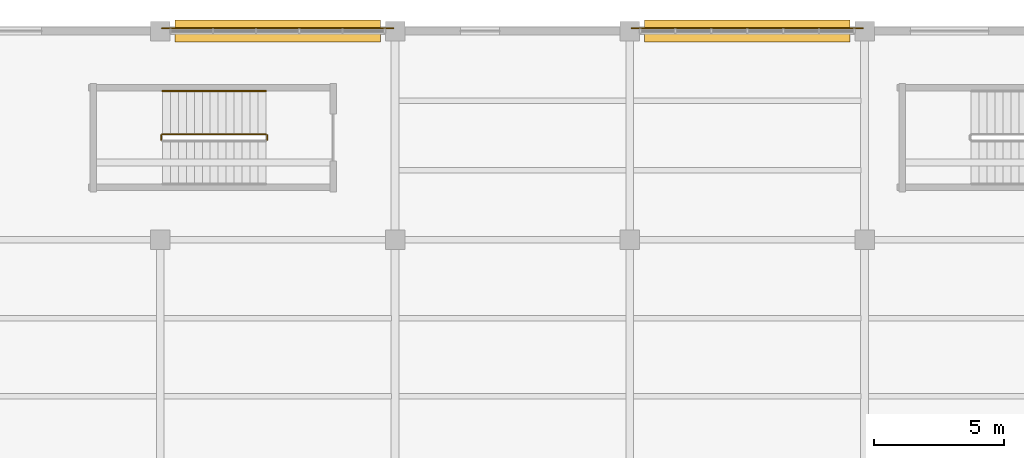
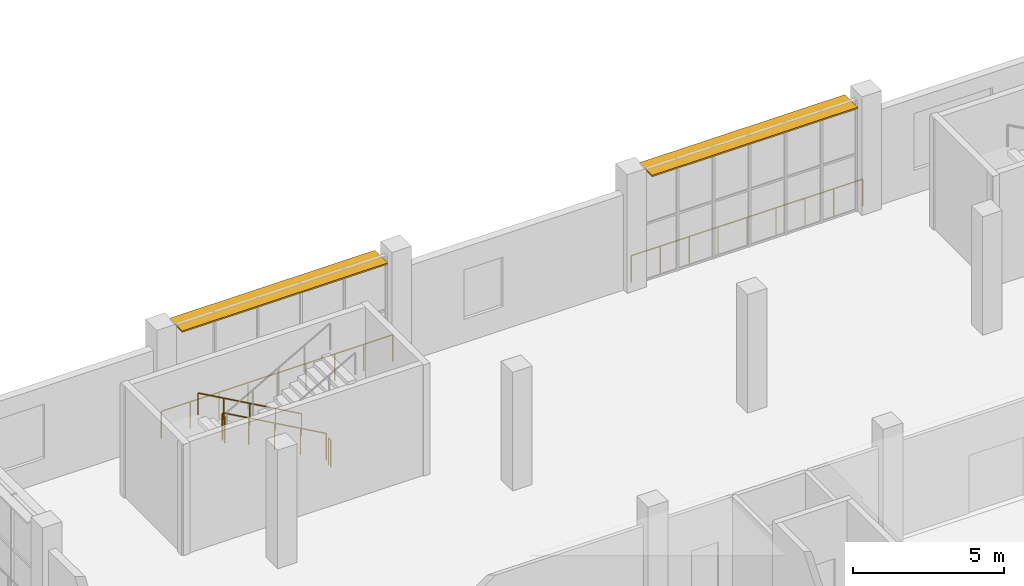
# One storey, part 162 of 179: 6 railings, 2 shading devices.
"""IFC4 building model written with IfcOpenShell, lengths in metres."""

from ifc_helpers import new_model, si_unit, direction, frame, origin, origin_2d, place, context, subcontext, project, spatial, rectangle, circle, extrude, material, layer, layer_set, type_object, element, save


model = new_model("IFC4")

# Units and contexts
model_context = context("Model", 3, precision=1e-05, world=origin(), true_north=direction((0.0, 1.0)))
body_context = subcontext(model_context, "Body", "Model", "MODEL_VIEW")
ifc_project = project(units=[si_unit("LENGTHUNIT", "METRE"), si_unit("AREAUNIT", "SQUARE_METRE"), si_unit("VOLUMEUNIT", "CUBIC_METRE"), si_unit("PLANEANGLEUNIT", "RADIAN"), si_unit("MASSUNIT", "GRAM", prefix="KILO")], contexts=[model_context])

# Site, building, storey
site_placement = place(None, origin())
site = spatial("IfcSite", under=ifc_project, at=site_placement, CompositionType="ELEMENT")
building_placement = place(site_placement, origin())
building = spatial("IfcBuilding", under=site, at=building_placement, Name="Zevraka Park Crest Stadium", CompositionType="ELEMENT")
storey_placement = place(building_placement, frame((0.0, 0.0, 10.199951171875)))
storey = spatial("IfcBuildingStorey", under=building, at=storey_placement, Name="L02", CompositionType="ELEMENT", Elevation=10.199951171875)

# Railings
ifc_material_1 = material(Name="Galvanised and bronze-finished steel balustrade", Category="steel")
railing_type_1 = type_object("IfcRailingType", Name="GR01", PredefinedType="GUARDRAIL", material=ifc_material_1)
for number, where, name in (
    (1, (9.06591796875, 184.10498046875, 0.0), "Deck Edge Protection Guardrail GR01 L02-1"),
    (2, (27.06591796875, 184.10498046875, 0.0), "Deck Edge Protection Guardrail GR01 L02-2"),
):
    element("IfcRailing", number, at=place(storey_placement, frame(where)), inside=storey, type_object=railing_type_1, Name=name, PredefinedType="GUARDRAIL", context=body_context, shape_type="SweptSolid", body=[
        extrude(circle(Radius=0.02392578125, at=origin_2d()), frame((0.0, 0.0, 1.076171875), z_axis=(1.0, 0.0, 0.0), x_axis=(0.0, 1.0, 0.0)), (0.0, 0.0, 1.0), 8.8681640625),
        extrude(circle(Radius=0.02099609375, at=origin_2d()), origin(), (0.0, 0.0, 1.0), 1.052001953125),
        extrude(circle(Radius=0.02099609375, at=origin_2d()), frame((1.1083984375, 0.0, 0.0)), (0.0, 0.0, 1.0), 1.052001953125),
        extrude(circle(Radius=0.02099609375, at=origin_2d()), frame((2.217041015625, 0.0, 0.0)), (0.0, 0.0, 1.0), 1.052001953125),
        extrude(circle(Radius=0.02099609375, at=origin_2d()), frame((3.32568359375, 0.0, 0.0)), (0.0, 0.0, 1.0), 1.052001953125),
        extrude(circle(Radius=0.02099609375, at=origin_2d()), frame((4.43408203125, 0.0, 0.0)), (0.0, 0.0, 1.0), 1.052001953125),
        extrude(circle(Radius=0.02099609375, at=origin_2d()), frame((5.54248046875, 0.0, 0.0)), (0.0, 0.0, 1.0), 1.052001953125),
        extrude(circle(Radius=0.02099609375, at=origin_2d()), frame((6.651123046875, 0.0, 0.0)), (0.0, 0.0, 1.0), 1.052001953125),
        extrude(circle(Radius=0.02099609375, at=origin_2d()), frame((7.759765625, 0.0, 0.0)), (0.0, 0.0, 1.0), 1.052001953125),
        extrude(circle(Radius=0.02099609375, at=origin_2d()), frame((8.8681640625, 0.0, 0.0)), (0.0, 0.0, 1.0), 1.052001953125),
    ])
ifc_material_2 = material(Name="Powder-coated tubular steel stairwell guard", Category="steel")
railing_type_2 = type_object("IfcRailingType", Name="GR03", PredefinedType="GUARDRAIL", material=ifc_material_2)
railing_1_placement = place(storey_placement, frame((13.050048828125, 180.050048828125, 0.17138671875)))
element("IfcRailing", 3, at=railing_1_placement, inside=storey, type_object=railing_type_2, Name="L02 ST47 stair guard 1", PredefinedType="GUARDRAIL", context=body_context, shape_type="SweptSolid", body=[
    extrude(circle(Radius=0.02392578125, at=origin_2d()), frame((0.0, 0.0, 1.076171875), z_axis=(-0.871726007364, 0.0, 0.489993640861), x_axis=(0.0, -1.0, 0.0)), (0.0, 0.0, 1.0), 4.548583984375),
    extrude(circle(Radius=0.02099609375, at=origin_2d()), origin(), (0.0, 0.0, 1.0), 1.052001953125),
    extrude(circle(Radius=0.02099609375, at=origin_2d()), frame((-0.9912109375, 0.0, 0.55712890625)), (0.0, 0.0, 1.0), 1.052001953125),
    extrude(circle(Radius=0.02099609375, at=origin_2d()), frame((-1.982421875, 0.0, 1.1142578125)), (0.0, 0.0, 1.0), 1.052001953125),
    extrude(circle(Radius=0.02099609375, at=origin_2d()), frame((-2.973876953125, 0.0, 1.671630859375)), (0.0, 0.0, 1.0), 1.052001953125),
    extrude(circle(Radius=0.02099609375, at=origin_2d()), frame((-3.965087890625, 0.0, 2.228759765625)), (0.0, 0.0, 1.0), 1.052001953125),
])
for number, where, name in (
    (4, (9.034912109375, 180.0, 2.400146484375), "L02 ST47 stair guard 2"),
    (5, (13.10009765625, 180.0, 0.0), "L02 ST47 stair guard 4"),
):
    element("IfcRailing", number, at=place(storey_placement, frame(where)), inside=storey, type_object=railing_type_2, Name=name, PredefinedType="GUARDRAIL", context=body_context, shape_type="SweptSolid", body=[
        extrude(circle(Radius=0.02392578125, at=origin_2d()), frame((0.0, 0.0, 1.076171875), z_axis=(0.0, -1.0, 0.0), x_axis=(1.0, 0.0, 0.0)), (0.0, 0.0, 1.0), 0.159912109375),
        extrude(circle(Radius=0.02099609375, at=origin_2d()), origin(), (0.0, 0.0, 1.0), 1.052001953125),
        extrude(circle(Radius=0.02099609375, at=origin_2d()), frame((0.0, -0.159912109375, 0.0)), (0.0, 0.0, 1.0), 1.052001953125),
    ])
ifc_material_3 = material(Name="Brushed stainless steel continuous handrail", Category="steel")
railing_type_3 = type_object("IfcRailingType", Name="HR01", PredefinedType="HANDRAIL", material=ifc_material_3)
railing_2_placement = place(storey_placement, frame((13.050048828125, 181.699951171875, 0.17138671875)))
element("IfcRailing", 6, at=railing_2_placement, inside=storey, type_object=railing_type_3, Name="L02 ST47 stair handrail 1", PredefinedType="HANDRAIL", context=body_context, shape_type="SweptSolid", body=[
    extrude(circle(Radius=0.02392578125, at=origin_2d()), frame((0.0, 0.0, 0.8759765625), z_axis=(-0.871726007364, 0.0, 0.489993640861), x_axis=(0.0, -1.0, 0.0)), (0.0, 0.0, 1.0), 4.548583984375),
    extrude(circle(Radius=0.02099609375, at=origin_2d()), origin(), (0.0, 0.0, 1.0), 0.851806640625),
    extrude(circle(Radius=0.02099609375, at=origin_2d()), frame((-0.9912109375, 0.0, 0.55712890625)), (0.0, 0.0, 1.0), 0.851806640625),
    extrude(circle(Radius=0.02099609375, at=origin_2d()), frame((-1.982421875, 0.0, 1.1142578125)), (0.0, 0.0, 1.0), 0.851806640625),
    extrude(circle(Radius=0.02099609375, at=origin_2d()), frame((-2.973876953125, 0.0, 1.671630859375)), (0.0, 0.0, 1.0), 0.851806640625),
    extrude(circle(Radius=0.02099609375, at=origin_2d()), frame((-3.965087890625, 0.0, 2.228759765625)), (0.0, 0.0, 1.0), 0.851806640625),
])

# Shading devices
ifc_material_4 = material(Name="Architectural golden-bronze anodised bronze", Category="aluminium")
ifc_layer = layer(ifc_material_4, 0.06005859375)
ifc_layer_set = layer_set([ifc_layer], Name="Architectural golden-bronze anodised bronze")
shading_device_type = type_object("IfcShadingDeviceType", Name="SHD01", PredefinedType="USERDEFINED", material=ifc_layer_set)
for number, where, z_axis, x_axis, name in (
    (7, (13.5, 184.0, 4.419921875), (0.0, 0.0, 1.0), (1.0, 0.0, 0.0), "Wing Bronze Solar Screen SHD01 L02-NW-N2-2"),
    (8, (31.5, 184.0, 4.419921875), (0.0, 0.0, 1.0), (1.0, 0.0, 0.0), "Wing Bronze Solar Screen SHD01 L02-NW-N2-4"),
):
    element("IfcShadingDevice", number, at=place(storey_placement, frame(where, z_axis=z_axis, x_axis=x_axis)), inside=storey, type_object=shading_device_type, Name=name, ObjectType="SOLAR SCREEN", PredefinedType="USERDEFINED", context=body_context, shape_type="SweptSolid", body=[
        extrude(rectangle(XDim=7.8701171875, YDim=0.85009765625, at=origin_2d()), origin(), (0.0, 0.0, 1.0), 0.06005859375),
    ])

save(model, "model.ifc")
